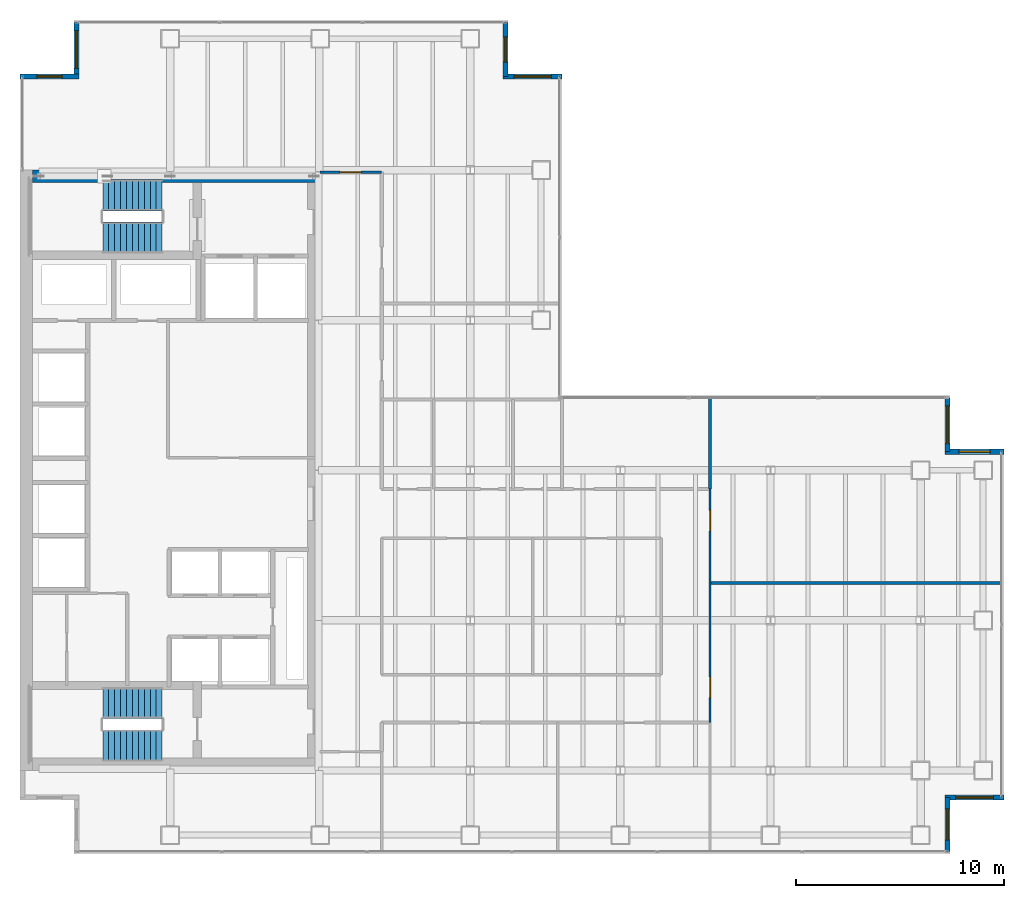
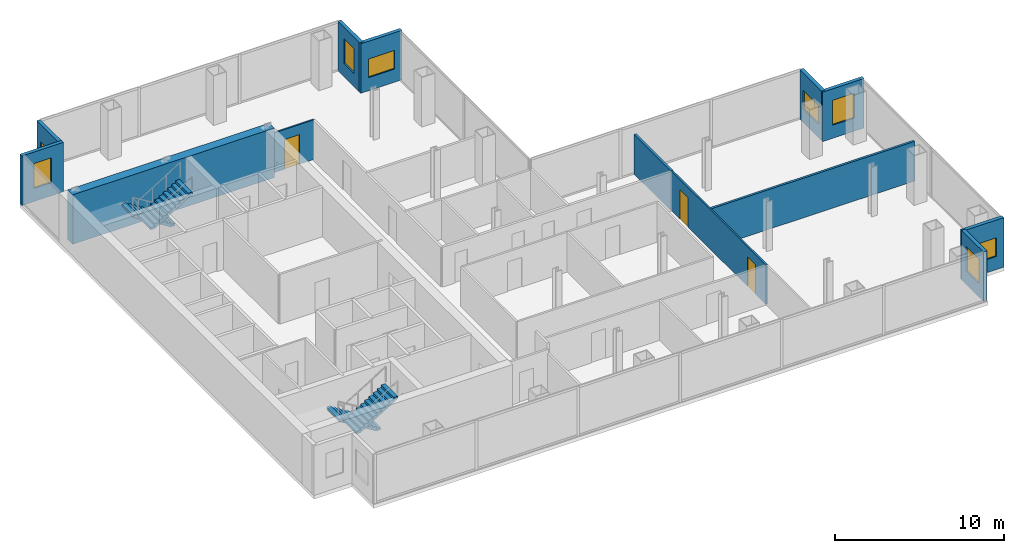
# One storey, part 22 of 23: 13 walls, 8 windows, 4 stair flights, 3 doors, 11 openings, 2 elements without a shape of their own.
"""IFC4 building model written with IfcOpenShell, lengths in metres."""

from ifc_helpers import new_model, si_unit, direction, frame, frame_2d, origin, place, context, subcontext, project, spatial, polyline, rectangle, outline, extrude, material, layer, layer_set, type_object, element, fill, aggregate, save


model = new_model("IFC4")

# Units and contexts
model_context = context("Model", 3, precision=1e-05, world=origin(), true_north=direction((0.0, 1.0)))
body_context = subcontext(model_context, "Body", "Model", "MODEL_VIEW")
ifc_project = project(units=[si_unit("LENGTHUNIT", "METRE"), si_unit("AREAUNIT", "SQUARE_METRE"), si_unit("VOLUMEUNIT", "CUBIC_METRE"), si_unit("PLANEANGLEUNIT", "RADIAN"), si_unit("MASSUNIT", "GRAM", prefix="KILO")], contexts=[model_context])

# Site, building, storey
site_placement = place(None, origin())
site = spatial("IfcSite", under=ifc_project, at=site_placement, CompositionType="ELEMENT")
building_placement = place(site_placement, origin())
building = spatial("IfcBuilding", under=site, at=building_placement, Name="Cobrela Telecom Tower", CompositionType="ELEMENT")
storey_placement = place(building_placement, frame((0.0, 0.0, 144.550048828125)))
storey = spatial("IfcBuildingStorey", under=building, at=storey_placement, Name="L36", CompositionType="ELEMENT", Elevation=144.550048828125)

# Wall
ifc_material_1 = material(Name="Concrete C50/60", Category="concrete")
ifc_layer_1 = layer(ifc_material_1, 0.60009765625)
ifc_layer_set_1 = layer_set([ifc_layer_1], Name="Concrete C50/60")
wall_type_1 = type_object("IfcWallType", Name="WALL-CORE-C50-600", PredefinedType="SHEAR", material=ifc_layer_set_1)
wall_1_placement = place(storey_placement, frame((0.60009765625, 35.699951171875, 0.0), z_axis=(0.0, 0.0, 1.0), x_axis=(1.0, 0.0, 0.0)))
element("IfcWall", 1, at=wall_1_placement, inside=storey, type_object=wall_type_1, Name="L36 North Core Shear Wall", PredefinedType="SHEAR", context=body_context, shape_type="SweptSolid", body=[
    extrude(rectangle(XDim=13.7998046875, YDim=0.60009765625, at=frame_2d((6.89990234375, 0.0))), origin(), (0.0, 0.0, 1.0), 3.579833984375),
])

# Wall, opening, window
ifc_material_2 = material(Name="Concrete C40/50", Category="concrete")
ifc_layer_2 = layer(ifc_material_2, 0.239990234375)
ifc_layer_set_2 = layer_set([ifc_layer_2], Name="Concrete C40/50")
wall_type_2 = type_object("IfcWallType", Name="WALL-EXT-300", PredefinedType="STANDARD", material=ifc_layer_set_2)
wall_2_placement = place(storey_placement, frame((0.0, 40.489990234375, 0.0), z_axis=(0.0, 0.0, 1.0), x_axis=(1.0, 0.0, 0.0)))
wall_2 = element("IfcWall", 2, at=wall_2_placement, inside=storey, type_object=wall_type_2, Name="L36 Insulated Facade Wall 05", PredefinedType="STANDARD", context=body_context, shape_type="SweptSolid", body=[
    extrude(rectangle(XDim=2.830078125, YDim=0.239990234375, at=frame_2d((1.4150390625, 0.0))), origin(), (0.0, 0.0, 1.0), 3.579833984375),
])
opening_1_placement = place(wall_2_placement, frame((0.81494140625, 0.0, 0.949951171875)))
opening_1 = element("IfcOpeningElement", 3, at=opening_1_placement, cuts=wall_2, Name="Opening WN-19", PredefinedType="OPENING", context=body_context, shape_type="SweptSolid", body=[
    extrude(rectangle(XDim=1.199951171875, YDim=1.800048828125, at=frame_2d((0.60009765625, 0.89990234375))), frame((0.0, 0.1318359375, 0.0), z_axis=(0.0, -1.0, 0.0), x_axis=(1.0, 0.0, 0.0)), (0.0, 0.0, 1.0), 0.263916015625),
])
ifc_material_3 = material(Name="Solar-Control Bronze Low-E Glass", Category="glass")
window_type_1 = type_object("IfcWindowType", Name="WIN-MOD-1200", PartitioningType="SINGLE_PANEL", PredefinedType="WINDOW", material=ifc_material_3)
window_1_placement = place(opening_1_placement, origin())
window_1 = element("IfcWindow", 4, at=window_1_placement, inside=storey, type_object=window_type_1, Name="L36 Corner Notch Facade Window 172", OverallHeight=1.800048828125, OverallWidth=1.199951171875, PartitioningType="SINGLE_PANEL", PredefinedType="WINDOW", context=body_context, shape_type="SweptSolid", body=[
    extrude(rectangle(XDim=1.199951171875, YDim=1.800048828125, at=frame_2d((0.60009765625, 0.89990234375))), frame((0.0, 0.030029296875, 0.0), z_axis=(0.0, -1.0, 0.0), x_axis=(1.0, 0.0, 0.0)), (0.0, 0.0, 1.0), 0.06005859375),
])
fill(opening_1, window_1)

wall_3_placement = place(storey_placement, frame((2.7099609375, 40.489990234375, 0.0), z_axis=(0.0, 0.0, 1.0), x_axis=(0.0, 1.0, 0.0)))
wall_3 = element("IfcWall", 5, at=wall_3_placement, inside=storey, type_object=wall_type_2, Name="L36 Insulated Facade Wall 06", PredefinedType="STANDARD", context=body_context, shape_type="SweptSolid", body=[
    extrude(rectangle(XDim=2.590087890625, YDim=0.239990234375, at=frame_2d((1.294921875, 0.0))), origin(), (0.0, 0.0, 1.0), 3.579833984375),
])
opening_2_placement = place(wall_3_placement, frame((0.39501953125, 0.0, 0.949951171875)))
opening_2 = element("IfcOpeningElement", 6, at=opening_2_placement, cuts=wall_3, Name="Opening WN-27", PredefinedType="OPENING", context=body_context, shape_type="SweptSolid", body=[
    extrude(rectangle(XDim=1.800048828125, YDim=1.35009765625, at=frame_2d((0.89990234375, 0.675048828125))), frame((0.0, 0.1318359375, 0.0), z_axis=(0.0, -1.0, 0.0), x_axis=(1.0, 0.0, 0.0)), (0.0, 0.0, 1.0), 0.263916015625),
])
window_type_2 = type_object("IfcWindowType", Name="WIN-CLER-1800", PartitioningType="SINGLE_PANEL", PredefinedType="WINDOW", material=ifc_material_3)
window_2_placement = place(opening_2_placement, origin())
window_2 = element("IfcWindow", 7, at=window_2_placement, inside=storey, type_object=window_type_2, Name="L36 Corner Notch Facade Window 173", OverallHeight=1.35009765625, OverallWidth=1.800048828125, PartitioningType="SINGLE_PANEL", PredefinedType="WINDOW", context=body_context, shape_type="SweptSolid", body=[
    extrude(rectangle(XDim=1.800048828125, YDim=1.35009765625, at=frame_2d((0.89990234375, 0.675048828125))), frame((0.0, 0.030029296875, 0.0), z_axis=(0.0, -1.0, 0.0), x_axis=(1.0, 0.0, 0.0)), (0.0, 0.0, 1.0), 0.06005859375),
])
fill(opening_2, window_2)

wall_4_placement = place(storey_placement, frame((23.2900390625, 43.080078125, 0.0), z_axis=(0.0, 0.0, 1.0), x_axis=(0.0, -1.0, 0.0)))
wall_4 = element("IfcWall", 8, at=wall_4_placement, inside=storey, type_object=wall_type_2, Name="L36 Insulated Facade Wall 08", PredefinedType="STANDARD", context=body_context, shape_type="SweptSolid", body=[
    extrude(rectangle(XDim=2.590087890625, YDim=0.239990234375, at=frame_2d((1.294921875, 0.0))), origin(), (0.0, 0.0, 1.0), 3.579833984375),
])
opening_3_placement = place(wall_4_placement, frame((0.695068359375, 0.0, 0.949951171875)))
opening_3 = element("IfcOpeningElement", 9, at=opening_3_placement, cuts=wall_4, Name="Opening WN-19", PredefinedType="OPENING", context=body_context, shape_type="SweptSolid", body=[
    extrude(rectangle(XDim=1.199951171875, YDim=1.800048828125, at=frame_2d((0.60009765625, 0.89990234375))), frame((0.0, 0.1318359375, 0.0), z_axis=(0.0, -1.0, 0.0), x_axis=(1.0, 0.0, 0.0)), (0.0, 0.0, 1.0), 0.263916015625),
])
window_3_placement = place(opening_3_placement, origin())
window_3 = element("IfcWindow", 10, at=window_3_placement, inside=storey, type_object=window_type_1, Name="L36 Corner Notch Facade Window 174", OverallHeight=1.800048828125, OverallWidth=1.199951171875, PartitioningType="SINGLE_PANEL", PredefinedType="WINDOW", context=body_context, shape_type="SweptSolid", body=[
    extrude(rectangle(XDim=1.199951171875, YDim=1.800048828125, at=frame_2d((0.60009765625, 0.89990234375))), frame((0.0, 0.030029296875, 0.0), z_axis=(0.0, -1.0, 0.0), x_axis=(1.0, 0.0, 0.0)), (0.0, 0.0, 1.0), 0.06005859375),
])
fill(opening_3, window_3)

wall_5_placement = place(storey_placement, frame((23.169921875, 40.489990234375, 0.0), z_axis=(0.0, 0.0, 1.0), x_axis=(1.0, 0.0, 0.0)))
wall_5 = element("IfcWall", 11, at=wall_5_placement, inside=storey, type_object=wall_type_2, Name="L36 Insulated Facade Wall 09", PredefinedType="STANDARD", context=body_context, shape_type="SweptSolid", body=[
    extrude(rectangle(XDim=2.830078125, YDim=0.239990234375, at=frame_2d((1.4150390625, 0.0))), origin(), (0.0, 0.0, 1.0), 3.579833984375),
])
opening_4_placement = place(wall_5_placement, frame((0.514892578125, 0.0, 0.949951171875)))
opening_4 = element("IfcOpeningElement", 12, at=opening_4_placement, cuts=wall_5, Name="Opening WN-27", PredefinedType="OPENING", context=body_context, shape_type="SweptSolid", body=[
    extrude(rectangle(XDim=1.800048828125, YDim=1.35009765625, at=frame_2d((0.89990234375, 0.675048828125))), frame((0.0, 0.1318359375, 0.0), z_axis=(0.0, -1.0, 0.0), x_axis=(1.0, 0.0, 0.0)), (0.0, 0.0, 1.0), 0.263916015625),
])
window_4_placement = place(opening_4_placement, origin())
window_4 = element("IfcWindow", 13, at=window_4_placement, inside=storey, type_object=window_type_2, Name="L36 Corner Notch Facade Window 175", OverallHeight=1.35009765625, OverallWidth=1.800048828125, PartitioningType="SINGLE_PANEL", PredefinedType="WINDOW", context=body_context, shape_type="SweptSolid", body=[
    extrude(rectangle(XDim=1.800048828125, YDim=1.35009765625, at=frame_2d((0.89990234375, 0.675048828125))), frame((0.0, 0.030029296875, 0.0), z_axis=(0.0, -1.0, 0.0), x_axis=(1.0, 0.0, 0.0)), (0.0, 0.0, 1.0), 0.06005859375),
])
fill(opening_4, window_4)

wall_6_placement = place(storey_placement, frame((44.489990234375, 25.080078125, 0.0), z_axis=(0.0, 0.0, 1.0), x_axis=(0.0, -1.0, 0.0)))
wall_6 = element("IfcWall", 14, at=wall_6_placement, inside=storey, type_object=wall_type_2, Name="L36 Insulated Facade Wall 12", PredefinedType="STANDARD", context=body_context, shape_type="SweptSolid", body=[
    extrude(rectangle(XDim=2.590087890625, YDim=0.239990234375, at=frame_2d((1.294921875, 0.0))), origin(), (0.0, 0.0, 1.0), 3.579833984375),
])
opening_5_placement = place(wall_6_placement, frame((0.39501953125, 0.0, 0.949951171875)))
opening_5 = element("IfcOpeningElement", 15, at=opening_5_placement, cuts=wall_6, Name="Opening WN-27", PredefinedType="OPENING", context=body_context, shape_type="SweptSolid", body=[
    extrude(rectangle(XDim=1.800048828125, YDim=1.35009765625, at=frame_2d((0.89990234375, 0.675048828125))), frame((0.0, 0.1318359375, 0.0), z_axis=(0.0, -1.0, 0.0), x_axis=(1.0, 0.0, 0.0)), (0.0, 0.0, 1.0), 0.263916015625),
])
window_5_placement = place(opening_5_placement, origin())
window_5 = element("IfcWindow", 16, at=window_5_placement, inside=storey, type_object=window_type_2, Name="L36 Corner Notch Facade Window 176", OverallHeight=1.35009765625, OverallWidth=1.800048828125, PartitioningType="SINGLE_PANEL", PredefinedType="WINDOW", context=body_context, shape_type="SweptSolid", body=[
    extrude(rectangle(XDim=1.800048828125, YDim=1.35009765625, at=frame_2d((0.89990234375, 0.675048828125))), frame((0.0, 0.030029296875, 0.0), z_axis=(0.0, -1.0, 0.0), x_axis=(1.0, 0.0, 0.0)), (0.0, 0.0, 1.0), 0.06005859375),
])
fill(opening_5, window_5)

wall_7_placement = place(storey_placement, frame((44.3701171875, 22.489990234375, 0.0), z_axis=(0.0, 0.0, 1.0), x_axis=(1.0, 0.0, 0.0)))
wall_7 = element("IfcWall", 17, at=wall_7_placement, inside=storey, type_object=wall_type_2, Name="L36 Insulated Facade Wall 13", PredefinedType="STANDARD", context=body_context, shape_type="SweptSolid", body=[
    extrude(rectangle(XDim=2.829833984375, YDim=0.239990234375, at=frame_2d((1.4150390625, 0.0))), origin(), (0.0, 0.0, 1.0), 3.579833984375),
])
opening_6_placement = place(wall_7_placement, frame((0.6650390625, 0.0, 0.949951171875)))
opening_6 = element("IfcOpeningElement", 18, at=opening_6_placement, cuts=wall_7, Name="Opening WN-45", PredefinedType="OPENING", context=body_context, shape_type="SweptSolid", body=[
    extrude(rectangle(XDim=1.5, YDim=1.800048828125, at=frame_2d((0.75, 0.89990234375))), frame((0.0, 0.1318359375, 0.0), z_axis=(0.0, -1.0, 0.0), x_axis=(1.0, 0.0, 0.0)), (0.0, 0.0, 1.0), 0.263916015625),
])
window_type_3 = type_object("IfcWindowType", Name="WIN-MOD-1500", PartitioningType="SINGLE_PANEL", PredefinedType="WINDOW", material=ifc_material_3)
window_6_placement = place(opening_6_placement, origin())
window_6 = element("IfcWindow", 19, at=window_6_placement, inside=storey, type_object=window_type_3, Name="L36 Corner Notch Facade Window 177", OverallHeight=1.800048828125, OverallWidth=1.5, PartitioningType="SINGLE_PANEL", PredefinedType="WINDOW", context=body_context, shape_type="SweptSolid", body=[
    extrude(rectangle(XDim=1.5, YDim=1.800048828125, at=frame_2d((0.75, 0.89990234375))), frame((0.0, 0.030029296875, 0.0), z_axis=(0.0, -1.0, 0.0), x_axis=(1.0, 0.0, 0.0)), (0.0, 0.0, 1.0), 0.06005859375),
])
fill(opening_6, window_6)

wall_8_placement = place(storey_placement, frame((47.199951171875, 5.909912109375, 0.0), z_axis=(0.0, 0.0, 1.0), x_axis=(-1.0, 0.0, 0.0)))
wall_8 = element("IfcWall", 20, at=wall_8_placement, inside=storey, type_object=wall_type_2, Name="L36 Insulated Facade Wall 15", PredefinedType="STANDARD", context=body_context, shape_type="SweptSolid", body=[
    extrude(rectangle(XDim=2.829833984375, YDim=0.239990234375, at=frame_2d((1.4150390625, 0.0))), origin(), (0.0, 0.0, 1.0), 3.579833984375),
])
opening_7_placement = place(wall_8_placement, frame((0.514892578125, 0.0, 0.949951171875)))
opening_7 = element("IfcOpeningElement", 21, at=opening_7_placement, cuts=wall_8, Name="Opening WN-27", PredefinedType="OPENING", context=body_context, shape_type="SweptSolid", body=[
    extrude(rectangle(XDim=1.800048828125, YDim=1.35009765625, at=frame_2d((0.89990234375, 0.675048828125))), frame((0.0, 0.1318359375, 0.0), z_axis=(0.0, -1.0, 0.0), x_axis=(1.0, 0.0, 0.0)), (0.0, 0.0, 1.0), 0.263916015625),
])
window_7_placement = place(opening_7_placement, origin())
window_7 = element("IfcWindow", 22, at=window_7_placement, inside=storey, type_object=window_type_2, Name="L36 Corner Notch Facade Window 178", OverallHeight=1.35009765625, OverallWidth=1.800048828125, PartitioningType="SINGLE_PANEL", PredefinedType="WINDOW", context=body_context, shape_type="SweptSolid", body=[
    extrude(rectangle(XDim=1.800048828125, YDim=1.35009765625, at=frame_2d((0.89990234375, 0.675048828125))), frame((0.0, 0.030029296875, 0.0), z_axis=(0.0, -1.0, 0.0), x_axis=(1.0, 0.0, 0.0)), (0.0, 0.0, 1.0), 0.06005859375),
])
fill(opening_7, window_7)

wall_9_placement = place(storey_placement, frame((44.489990234375, 5.909912109375, 0.0), z_axis=(0.0, 0.0, 1.0), x_axis=(0.0, -1.0, 0.0)))
wall_9 = element("IfcWall", 23, at=wall_9_placement, inside=storey, type_object=wall_type_2, Name="L36 Insulated Facade Wall 16", PredefinedType="STANDARD", context=body_context, shape_type="SweptSolid", body=[
    extrude(rectangle(XDim=2.58984375, YDim=0.239990234375, at=frame_2d((1.294921875, 0.0))), origin(), (0.0, 0.0, 1.0), 3.579833984375),
])
opening_8_placement = place(wall_9_placement, frame((0.544921875, 0.0, 0.949951171875)))
opening_8 = element("IfcOpeningElement", 24, at=opening_8_placement, cuts=wall_9, Name="Opening WN-45", PredefinedType="OPENING", context=body_context, shape_type="SweptSolid", body=[
    extrude(rectangle(XDim=1.5, YDim=1.800048828125, at=frame_2d((0.75, 0.89990234375))), frame((0.0, 0.1318359375, 0.0), z_axis=(0.0, -1.0, 0.0), x_axis=(1.0, 0.0, 0.0)), (0.0, 0.0, 1.0), 0.263916015625),
])
window_8_placement = place(opening_8_placement, origin())
window_8 = element("IfcWindow", 25, at=window_8_placement, inside=storey, type_object=window_type_3, Name="L36 Corner Notch Facade Window 179", OverallHeight=1.800048828125, OverallWidth=1.5, PartitioningType="SINGLE_PANEL", PredefinedType="WINDOW", context=body_context, shape_type="SweptSolid", body=[
    extrude(rectangle(XDim=1.5, YDim=1.800048828125, at=frame_2d((0.75, 0.89990234375))), frame((0.0, 0.030029296875, 0.0), z_axis=(0.0, -1.0, 0.0), x_axis=(1.0, 0.0, 0.0)), (0.0, 0.0, 1.0), 0.06005859375),
])
fill(opening_8, window_8)

# Wall, opening, door
ifc_material_4 = material(Name="Fire-Rated Gypsum Plasterboard")
ifc_layer_3 = layer(ifc_material_4, 0.110107421875)
ifc_layer_set_3 = layer_set([ifc_layer_3], Name="Fire-Rated Gypsum Plasterboard")
wall_type_3 = type_object("IfcWallType", Name="WALL-PART-110", PredefinedType="PARTITIONING", material=ifc_layer_set_3)
wall_10_placement = place(storey_placement, frame((14.39990234375, 35.89990234375, 0.0), z_axis=(0.0, 0.0, 1.0), x_axis=(1.0, 0.0, 0.0)))
wall_10 = element("IfcWall", 26, at=wall_10_placement, inside=storey, type_object=wall_type_3, Name="L36 Interior Partition W-UW-N0", PredefinedType="PARTITIONING", context=body_context, shape_type="SweptSolid", body=[
    extrude(rectangle(XDim=2.9501953125, YDim=0.110107421875, at=frame_2d((1.47509765625, 0.0))), origin(), (0.0, 0.0, 1.0), 2.868896484375),
])
opening_9_placement = place(wall_10_placement, frame((0.949951171875, 0.0, 0.0)))
opening_9 = element("IfcOpeningElement", 27, at=opening_9_placement, cuts=wall_10, Name="Opening DR-31", PredefinedType="OPENING", context=body_context, shape_type="SweptSolid", body=[
    extrude(rectangle(XDim=1.0, YDim=2.14990234375, at=frame_2d((0.5, 1.074951171875))), frame((0.0, 0.06689453125, 0.0), z_axis=(0.0, -1.0, 0.0), x_axis=(1.0, 0.0, 0.0)), (0.0, 0.0, 1.0), 0.134033203125),
])
ifc_material_5 = material(Name="Solid Engineered Oak Timber", Category="wood")
door_type_1 = type_object("IfcDoorType", Name="DOOR-INT-1000", OperationType="SINGLE_SWING_LEFT", PredefinedType="DOOR", material=ifc_material_5)
door_1_placement = place(opening_9_placement, origin())
door_1 = element("IfcDoor", 28, at=door_1_placement, inside=storey, type_object=door_type_1, Name="L36 Door DR-31", OperationType="SINGLE_SWING_LEFT", OverallHeight=2.14990234375, OverallWidth=1.0, PredefinedType="DOOR", context=body_context, shape_type="SweptSolid", body=[
    extrude(rectangle(XDim=1.0, YDim=2.14990234375, at=frame_2d((0.5, 1.074951171875))), frame((0.0, 0.02490234375, 0.0), z_axis=(0.0, -1.0, 0.0), x_axis=(1.0, 0.0, 0.0)), (0.0, 0.0, 1.0), 0.050048828125),
])
fill(opening_9, door_1)

# Wall, openings, doors
wall_11_placement = place(storey_placement, frame((33.10009765625, 9.5, 0.0), z_axis=(0.0, 0.0, 1.0), x_axis=(0.0, 1.0, 0.0)))
wall_11 = element("IfcWall", 29, at=wall_11_placement, inside=storey, type_object=wall_type_3, Name="L36 Interior Partition W-UE-E", PredefinedType="PARTITIONING", context=body_context, shape_type="SweptSolid", body=[
    extrude(rectangle(XDim=11.199951171875, YDim=0.110107421875, at=frame_2d((5.60009765625, 0.0))), origin(), (0.0, 0.0, 1.0), 2.868896484375),
])
opening_10_placement = place(wall_11_placement, frame((1.199951171875, 0.0, 0.0)))
opening_10 = element("IfcOpeningElement", 30, at=opening_10_placement, cuts=wall_11, Name="Opening DR-17", PredefinedType="OPENING", context=body_context, shape_type="SweptSolid", body=[
    extrude(rectangle(XDim=0.97998046875, YDim=2.14990234375, at=frame_2d((0.489990234375, 1.074951171875))), frame((0.0, 0.06689453125, 0.0), z_axis=(0.0, -1.0, 0.0), x_axis=(1.0, 0.0, 0.0)), (0.0, 0.0, 1.0), 0.134033203125),
])
opening_11_placement = place(wall_11_placement, frame((9.199951171875, 0.0, 0.0)))
opening_11 = element("IfcOpeningElement", 31, at=opening_11_placement, cuts=wall_11, Name="Opening DR-17", PredefinedType="OPENING", context=body_context, shape_type="SweptSolid", body=[
    extrude(rectangle(XDim=0.97998046875, YDim=2.14990234375, at=frame_2d((0.489990234375, 1.074951171875))), frame((0.0, 0.06689453125, 0.0), z_axis=(0.0, -1.0, 0.0), x_axis=(1.0, 0.0, 0.0)), (0.0, 0.0, 1.0), 0.134033203125),
])
door_type_2 = type_object("IfcDoorType", Name="DOOR-INT-980", OperationType="SINGLE_SWING_LEFT", PredefinedType="DOOR", material=ifc_material_5)
door_2_placement = place(opening_10_placement, origin())
door_2 = element("IfcDoor", 32, at=door_2_placement, inside=storey, type_object=door_type_2, Name="L36 Door DR-17", OperationType="SINGLE_SWING_LEFT", OverallHeight=2.14990234375, OverallWidth=0.97998046875, PredefinedType="DOOR", context=body_context, shape_type="SweptSolid", body=[
    extrude(rectangle(XDim=0.97998046875, YDim=2.14990234375, at=frame_2d((0.489990234375, 1.074951171875))), frame((0.0, 0.02490234375, 0.0), z_axis=(0.0, -1.0, 0.0), x_axis=(1.0, 0.0, 0.0)), (0.0, 0.0, 1.0), 0.050048828125),
])
fill(opening_10, door_2)
door_3_placement = place(opening_11_placement, origin())
door_3 = element("IfcDoor", 33, at=door_3_placement, inside=storey, type_object=door_type_2, Name="L36 Door DR-17", OperationType="SINGLE_SWING_RIGHT", OverallHeight=2.14990234375, OverallWidth=0.97998046875, PredefinedType="DOOR", context=body_context, shape_type="SweptSolid", body=[
    extrude(rectangle(XDim=0.97998046875, YDim=2.14990234375, at=frame_2d((0.489990234375, 1.074951171875))), frame((0.0, 0.02490234375, 0.0), z_axis=(0.0, -1.0, 0.0), x_axis=(1.0, 0.0, 0.0)), (0.0, 0.0, 1.0), 0.050048828125),
])
fill(opening_11, door_3)

# Walls
ifc_layer_4 = layer(ifc_material_4, 0.14990234375)
ifc_layer_set_4 = layer_set([ifc_layer_4], Name="Fire-Rated Gypsum Plasterboard")
wall_type_4 = type_object("IfcWallType", Name="WALL-PART-150", PredefinedType="PARTITIONING", material=ifc_layer_set_4)
wall_12_placement = place(storey_placement, frame((33.10009765625, 16.199951171875, 0.0), z_axis=(0.0, 0.0, 1.0), x_axis=(1.0, 0.0, 0.0)))
element("IfcWall", 34, at=wall_12_placement, inside=storey, type_object=wall_type_4, Name="L36 Interior Partition W-UFE-H", PredefinedType="PARTITIONING", context=body_context, shape_type="SweptSolid", body=[
    extrude(rectangle(XDim=13.97998046875, YDim=0.14990234375, at=frame_2d((6.989990234375, 0.0))), origin(), (0.0, 0.0, 1.0), 2.868896484375),
])
ifc_layer_5 = layer(ifc_material_4, 0.159912109375)
ifc_layer_set_5 = layer_set([ifc_layer_5], Name="Fire-Rated Gypsum Plasterboard")
wall_type_5 = type_object("IfcWallType", Name="WALL-PART-160", PredefinedType="PARTITIONING", material=ifc_layer_set_5)
wall_13_placement = place(storey_placement, frame((33.10009765625, 20.699951171875, 0.0), z_axis=(0.0, 0.0, 1.0), x_axis=(0.0, 1.0, 0.0)))
element("IfcWall", 35, at=wall_13_placement, inside=storey, type_object=wall_type_5, Name="L36 Interior Partition W-UFE-N", PredefinedType="PARTITIONING", context=body_context, shape_type="SweptSolid", body=[
    extrude(rectangle(XDim=4.380126953125, YDim=0.159912109375, at=frame_2d((2.18994140625, 0.0))), origin(), (0.0, 0.0, 1.0), 2.868896484375),
])

# Stair, stair flights
stair_type = type_object("IfcStairType", Name="STAIR-CORE", PredefinedType="HALF_TURN_STAIR", material=ifc_material_2)
stair_1_placement = place(storey_placement, origin())
stair_1 = element("IfcStair", 36, at=stair_1_placement, inside=storey, type_object=stair_type, Name="L36 Smokeproof Exit Stair ST1", PredefinedType="HALF_TURN_STAIR")
stair_flight_type = type_object("IfcStairFlightType", Name="FLIGHT-CORE", PredefinedType="STRAIGHT", material=ifc_material_2)
stair_flight_1_placement = place(storey_placement, frame((6.820068359375, 34.800048828125, 0.0), z_axis=(0.0, 0.0, 1.0), x_axis=(-1.0, 0.0, 0.0)))
stair_flight_1 = element("IfcStairFlight", 37, at=stair_flight_1_placement, type_object=stair_flight_type, Name="ST1 flight 1", NumberOfRisers=11, NumberOfTreads=10, PredefinedType="STRAIGHT", RiserHeight=0.175, TreadLength=0.285, context=body_context, shape_type="SweptSolid", body=[
    extrude(outline(polyline([(0.0, 0.0), (0.0, 0.175048828125), (0.284912109375, 0.175048828125), (0.284912109375, 0.35009765625), (0.570068359375, 0.35009765625), (0.570068359375, 0.52490234375), (0.85498046875, 0.52490234375), (0.85498046875, 0.699951171875), (1.139892578125, 0.699951171875), (1.139892578125, 0.875), (1.425048828125, 0.875), (1.425048828125, 1.050048828125), (1.7099609375, 1.050048828125), (1.7099609375, 1.22509765625), (1.9951171875, 1.22509765625), (1.9951171875, 1.39990234375), (2.280029296875, 1.39990234375), (2.280029296875, 1.574951171875), (2.56494140625, 1.574951171875), (2.56494140625, 1.75), (2.85009765625, 1.75), (2.85009765625, 1.925048828125), (2.85009765625, 1.573974609375), (0.286376953125, 0.0), (0.0, 0.0)])), frame((0.0, 0.75, 0.0), z_axis=(0.0, -1.0, 0.0), x_axis=(1.0, 0.0, 0.0)), (0.0, 0.0, 1.0), 1.5),
])
stair_flight_2_placement = place(storey_placement, frame((3.969970703125, 32.75, 1.925048828125), z_axis=(0.0, 0.0, 1.0), x_axis=(1.0, 0.0, 0.0)))
stair_flight_2 = element("IfcStairFlight", 38, at=stair_flight_2_placement, type_object=stair_flight_type, Name="ST1 flight 2", NumberOfRisers=11, NumberOfTreads=10, PredefinedType="STRAIGHT", RiserHeight=0.175, TreadLength=0.285, context=body_context, shape_type="SweptSolid", body=[
    extrude(outline(polyline([(0.0, 0.0), (0.0, 0.175048828125), (0.284912109375, 0.175048828125), (0.284912109375, 0.35009765625), (0.570068359375, 0.35009765625), (0.570068359375, 0.52490234375), (0.85498046875, 0.52490234375), (0.85498046875, 0.699951171875), (1.139892578125, 0.699951171875), (1.139892578125, 0.875), (1.425048828125, 0.875), (1.425048828125, 1.050048828125), (1.7099609375, 1.050048828125), (1.7099609375, 1.22509765625), (1.9951171875, 1.22509765625), (1.9951171875, 1.39990234375), (2.280029296875, 1.39990234375), (2.280029296875, 1.574951171875), (2.56494140625, 1.574951171875), (2.56494140625, 1.75), (2.85009765625, 1.75), (2.85009765625, 1.925048828125), (2.85009765625, 1.573974609375), (0.286376953125, 0.0), (0.0, 0.0)])), frame((0.0, 0.75, 0.0), z_axis=(0.0, -1.0, 0.0), x_axis=(1.0, 0.0, 0.0)), (0.0, 0.0, 1.0), 1.5),
])
aggregate(stair_1, [stair_flight_1, stair_flight_2])

stair_2_placement = place(storey_placement, origin())
stair_2 = element("IfcStair", 39, at=stair_2_placement, inside=storey, type_object=stair_type, Name="L36 Smokeproof Exit Stair ST2", PredefinedType="HALF_TURN_STAIR")
stair_flight_3_placement = place(storey_placement, frame((6.820068359375, 10.449951171875, 0.0), z_axis=(0.0, 0.0, 1.0), x_axis=(-1.0, 0.0, 0.0)))
stair_flight_3 = element("IfcStairFlight", 40, at=stair_flight_3_placement, type_object=stair_flight_type, Name="ST2 flight 1", NumberOfRisers=11, NumberOfTreads=10, PredefinedType="STRAIGHT", RiserHeight=0.175, TreadLength=0.285, context=body_context, shape_type="SweptSolid", body=[
    extrude(outline(polyline([(0.0, 0.0), (0.0, 0.175048828125), (0.284912109375, 0.175048828125), (0.284912109375, 0.35009765625), (0.570068359375, 0.35009765625), (0.570068359375, 0.52490234375), (0.85498046875, 0.52490234375), (0.85498046875, 0.699951171875), (1.139892578125, 0.699951171875), (1.139892578125, 0.875), (1.425048828125, 0.875), (1.425048828125, 1.050048828125), (1.7099609375, 1.050048828125), (1.7099609375, 1.22509765625), (1.9951171875, 1.22509765625), (1.9951171875, 1.39990234375), (2.280029296875, 1.39990234375), (2.280029296875, 1.574951171875), (2.56494140625, 1.574951171875), (2.56494140625, 1.75), (2.85009765625, 1.75), (2.85009765625, 1.925048828125), (2.85009765625, 1.573974609375), (0.286376953125, 0.0), (0.0, 0.0)])), frame((0.0, 0.75, 0.0), z_axis=(0.0, -1.0, 0.0), x_axis=(1.0, 0.0, 0.0)), (0.0, 0.0, 1.0), 1.5),
])
stair_flight_4_placement = place(storey_placement, frame((3.969970703125, 8.39990234375, 1.925048828125), z_axis=(0.0, 0.0, 1.0), x_axis=(1.0, 0.0, 0.0)))
stair_flight_4 = element("IfcStairFlight", 41, at=stair_flight_4_placement, type_object=stair_flight_type, Name="ST2 flight 2", NumberOfRisers=11, NumberOfTreads=10, PredefinedType="STRAIGHT", RiserHeight=0.175, TreadLength=0.285, context=body_context, shape_type="SweptSolid", body=[
    extrude(outline(polyline([(0.0, 0.0), (0.0, 0.175048828125), (0.284912109375, 0.175048828125), (0.284912109375, 0.35009765625), (0.570068359375, 0.35009765625), (0.570068359375, 0.52490234375), (0.85498046875, 0.52490234375), (0.85498046875, 0.699951171875), (1.139892578125, 0.699951171875), (1.139892578125, 0.875), (1.425048828125, 0.875), (1.425048828125, 1.050048828125), (1.7099609375, 1.050048828125), (1.7099609375, 1.22509765625), (1.9951171875, 1.22509765625), (1.9951171875, 1.39990234375), (2.280029296875, 1.39990234375), (2.280029296875, 1.574951171875), (2.56494140625, 1.574951171875), (2.56494140625, 1.75), (2.85009765625, 1.75), (2.85009765625, 1.925048828125), (2.85009765625, 1.573974609375), (0.286376953125, 0.0), (0.0, 0.0)])), frame((0.0, 0.75, 0.0), z_axis=(0.0, -1.0, 0.0), x_axis=(1.0, 0.0, 0.0)), (0.0, 0.0, 1.0), 1.5),
])
aggregate(stair_2, [stair_flight_3, stair_flight_4])

save(model, "model.ifc")
